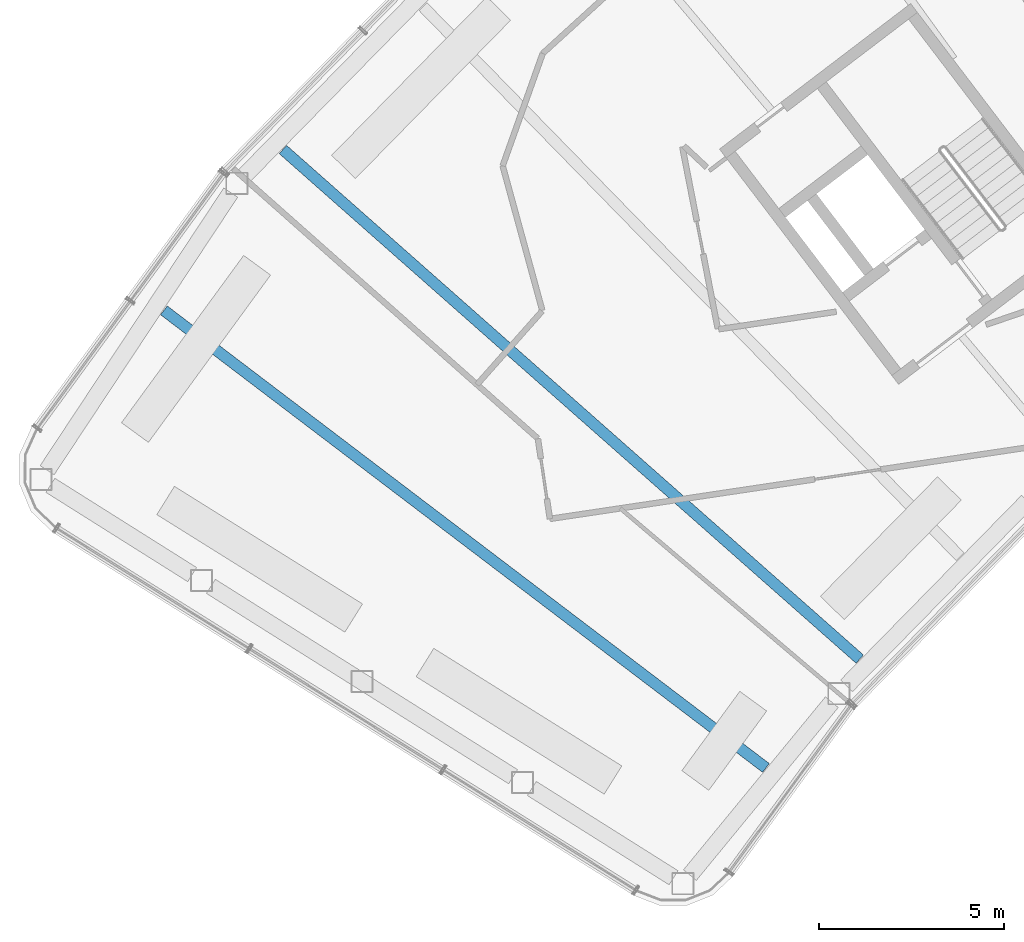
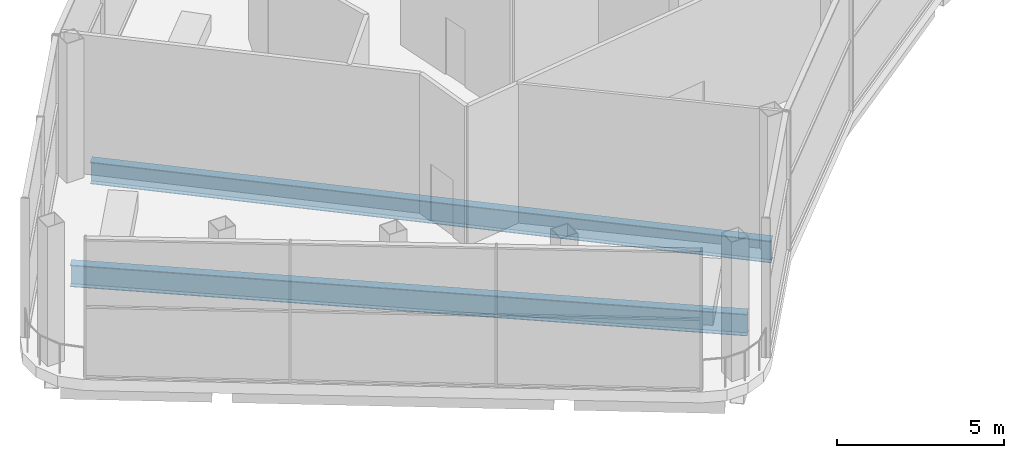
# One storey, part 5 of 43: 2 beams.
"""IFC4 building model written with IfcOpenShell, lengths in metres."""

from ifc_helpers import new_model, si_unit, direction, frame, origin, origin_2d, place, context, subcontext, project, spatial, i_section, extrude, material, material_profile, profile_set, type_object, element, save


model = new_model("IFC4")

# Units and contexts
model_context = context("Model", 3, precision=1e-05, world=origin(), true_north=direction((0.0, 1.0)))
body_context = subcontext(model_context, "Body", "Model", "MODEL_VIEW")
ifc_project = project(units=[si_unit("LENGTHUNIT", "METRE"), si_unit("AREAUNIT", "SQUARE_METRE"), si_unit("VOLUMEUNIT", "CUBIC_METRE"), si_unit("PLANEANGLEUNIT", "RADIAN"), si_unit("MASSUNIT", "GRAM", prefix="KILO")], contexts=[model_context])

# Site, building, storey
site_placement = place(None, origin())
site = spatial("IfcSite", under=ifc_project, at=site_placement, CompositionType="ELEMENT")
building_placement = place(site_placement, origin())
building = spatial("IfcBuilding", under=site, at=building_placement, Name="Tuul Gate Civic Tower", CompositionType="ELEMENT")
storey_placement = place(building_placement, frame((0.0, 0.0, 349.10009765625)))
storey = spatial("IfcBuildingStorey", under=building, at=storey_placement, Name="Observation level 1", CompositionType="ELEMENT", Elevation=349.10009765625)

# Beams
ifc_material = material(Name="Steel S355", Category="steel")
ifc_material_profile = material_profile(ifc_material, i_section(OverallWidth=0.300048828125, OverallDepth=0.800048828125, WebThickness=0.013916015625, FlangeThickness=0.02490234375, at=origin_2d()), Name="PG800x300x14x25")
ifc_profile_set = profile_set([ifc_material_profile], Name="Steel S355")
beam_type = type_object("IfcBeamType", Name="STR-FLOOR BEAM-PG800x300x14x25", PredefinedType="BEAM", material=ifc_profile_set)
beam_1_placement = place(storey_placement, frame((-37.3232421875, -25.16259765625, -0.800048828125), z_axis=(-0.749453243269, 0.662057275584, 0.0), x_axis=(-0.662057275584, -0.749453243269, 0.0)))
element("IfcBeam", 1, at=beam_1_placement, inside=storey, type_object=beam_type, Name="Floor beam", PredefinedType="BEAM", context=body_context, shape_type="SweptSolid", body=[
    extrude(i_section(OverallWidth=0.300048828125, OverallDepth=0.800048828125, WebThickness=0.013916015625, FlangeThickness=0.02490234375, at=origin_2d()), origin(), (0.0, 0.0, 1.0), 20.828369140625),
])
beam_2_placement = place(storey_placement, frame((-39.8623046875, -28.107421875, -0.800048828125), z_axis=(-0.796145180606, 0.605105653087, 0.0), x_axis=(-0.605105653087, -0.796145180606, 0.0)))
element("IfcBeam", 2, at=beam_2_placement, inside=storey, type_object=beam_type, Name="Floor beam", PredefinedType="BEAM", context=body_context, shape_type="SweptSolid", body=[
    extrude(i_section(OverallWidth=0.300048828125, OverallDepth=0.800048828125, WebThickness=0.013916015625, FlangeThickness=0.02490234375, at=origin_2d()), origin(), (0.0, 0.0, 1.0), 20.462646484375),
])

save(model, "model.ifc")
